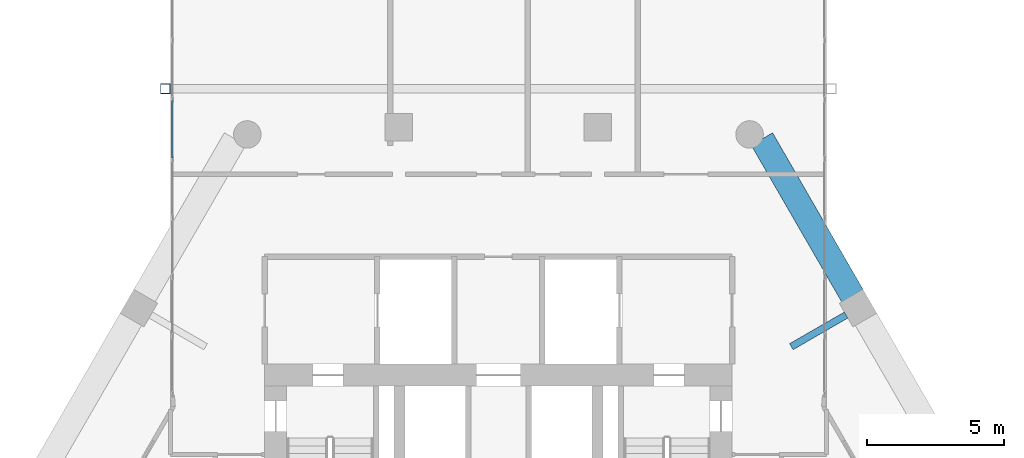
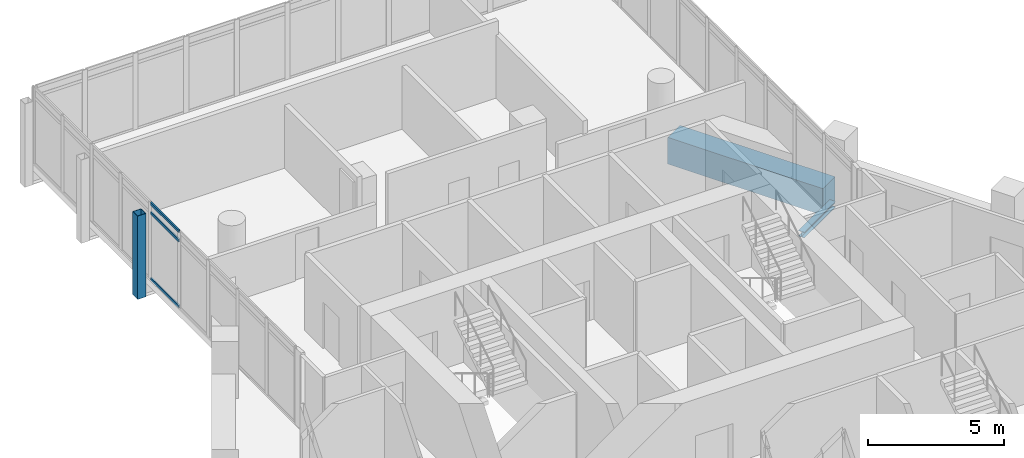
# One storey, part 14 of 29: 4 members, 2 beams, 1 element without a shape of its own.
"""IFC4 building model written with IfcOpenShell, lengths in metres."""

from ifc_helpers import new_model, si_unit, direction, frame, origin, origin_2d, place, context, subcontext, project, spatial, rectangle, hollow_rectangle, i_section, extrude, material, material_profile, profile_set, type_object, element, aggregate, save


model = new_model("IFC4")

# Units and contexts
model_context = context("Model", 3, precision=1e-05, world=origin(), true_north=direction((0.0, 1.0)))
body_context = subcontext(model_context, "Body", "Model", "MODEL_VIEW")
ifc_project = project(units=[si_unit("LENGTHUNIT", "METRE"), si_unit("AREAUNIT", "SQUARE_METRE"), si_unit("VOLUMEUNIT", "CUBIC_METRE"), si_unit("PLANEANGLEUNIT", "RADIAN"), si_unit("MASSUNIT", "GRAM", prefix="KILO")], contexts=[model_context])

# Site, building, storey
site_placement = place(None, origin())
site = spatial("IfcSite", under=ifc_project, at=site_placement, CompositionType="ELEMENT")
building_placement = place(site_placement, origin())
building = spatial("IfcBuilding", under=site, at=building_placement, Name="Ostrander Bayou Hotel Tower", CompositionType="ELEMENT")
storey_placement = place(building_placement, frame((0.0, 0.0, 202.0)))
storey = spatial("IfcBuildingStorey", under=building, at=storey_placement, Name="L50", CompositionType="ELEMENT", Elevation=202.0)

# Curtain wall, members
ifc_material_1 = material(Name="Aluminium and clear glass", Category="aluminium")
curtain_wall_type = type_object("IfcCurtainWallType", Name="CW-BAR glazed wall", PredefinedType="NOTDEFINED", material=ifc_material_1)
curtain_wall_placement = place(storey_placement, origin())
curtain_wall = element("IfcCurtainWall", 1, at=curtain_wall_placement, inside=storey, type_object=curtain_wall_type, Name="CW-BAR L50:SB4N:E", PredefinedType="NOTDEFINED")
ifc_material_2 = material(Name="Aluminium", Category="aluminium")
ifc_material_profile_1 = material_profile(ifc_material_2, hollow_rectangle(XDim=0.06005859375, YDim=0.1298828125, WallThickness=0.00390625, at=origin_2d()))
ifc_profile_set_1 = profile_set([ifc_material_profile_1], Name="Aluminium")
member_type_1 = type_object("IfcMemberType", Name="CW-BR transom 60 x 130 mm", PredefinedType="USERDEFINED", material=ifc_profile_set_1)
member_1_placement = place(storey_placement, frame((-11.857177734375, 17.195068359375, 0.030029296875), z_axis=(0.0, 1.0, 0.0), x_axis=(-1.0, 0.0, 0.0)))
member_1 = element("IfcMember", 2, at=member_1_placement, type_object=member_type_1, Name="CW-BAR transom 5.1", ObjectType="TRANSOM", PredefinedType="USERDEFINED", context=body_context, shape_type="SweptSolid", body=[
    extrude(hollow_rectangle(XDim=0.06005859375, YDim=0.1298828125, WallThickness=0.00390625, at=origin_2d()), origin(), (0.0, 0.0, 1.0), 2.09033203125),
])
member_2_placement = place(storey_placement, frame((-11.857177734375, 17.195068359375, 3.0), z_axis=(0.0, 1.0, 0.0), x_axis=(-1.0, 0.0, 0.0)))
member_2 = element("IfcMember", 3, at=member_2_placement, type_object=member_type_1, Name="CW-BAR transom 5.2", ObjectType="TRANSOM", PredefinedType="USERDEFINED", context=body_context, shape_type="SweptSolid", body=[
    extrude(hollow_rectangle(XDim=0.06005859375, YDim=0.1298828125, WallThickness=0.00390625, at=origin_2d()), origin(), (0.0, 0.0, 1.0), 2.09033203125),
])
member_3_placement = place(storey_placement, frame((-11.857177734375, 17.195068359375, 3.419921875), z_axis=(0.0, 1.0, 0.0), x_axis=(-1.0, 0.0, 0.0)))
member_3 = element("IfcMember", 4, at=member_3_placement, type_object=member_type_1, Name="CW-BAR transom 5.3", ObjectType="TRANSOM", PredefinedType="USERDEFINED", context=body_context, shape_type="SweptSolid", body=[
    extrude(hollow_rectangle(XDim=0.06005859375, YDim=0.1298828125, WallThickness=0.00390625, at=origin_2d()), origin(), (0.0, 0.0, 1.0), 2.09033203125),
])
aggregate(curtain_wall, [member_1, member_2, member_3])

# Beams
ifc_material_3 = material(Name="Steel ASTM A992", Category="steel")
ifc_material_profile_2 = material_profile(ifc_material_3, i_section(OverallWidth=0.25390625, OverallDepth=0.25341796875, WebThickness=0.008544921875, FlangeThickness=0.01416015625, at=origin_2d()))
ifc_profile_set_2 = profile_set([ifc_material_profile_2], Name="Steel ASTM A992")
beam_type_1 = type_object("IfcBeamType", Name="LB2 loggia bracket W10x49", PredefinedType="BEAM", material=ifc_profile_set_2)
beam_1_placement = place(storey_placement, frame((12.642578125, 11.476806640625, -0.4267578125), z_axis=(-0.866053019151, -0.499952165731, 0.0), x_axis=(0.499952165731, -0.866053019151, 0.0)))
element("IfcBeam", 5, at=beam_1_placement, inside=storey, type_object=beam_type_1, Name="LB2 L50 NE2", PredefinedType="BEAM", context=body_context, shape_type="SweptSolid", body=[
    extrude(i_section(OverallWidth=0.25390625, OverallDepth=0.25341796875, WebThickness=0.008544921875, FlangeThickness=0.01416015625, at=origin_2d()), origin(), (0.0, 0.0, 1.0), 2.300048828125),
])
ifc_material_4 = material(Name="Concrete f'c 60 MPa", Category="concrete")
ifc_material_profile_3 = material_profile(ifc_material_4, rectangle(XDim=0.89990234375, YDim=1.199951171875, at=origin_2d()))
ifc_profile_set_3 = profile_set([ifc_material_profile_3], Name="Concrete f'c 60 MPa")
beam_type_2 = type_object("IfcBeamType", Name="SP3 spandrel beam 900 x 1200 mm f'c 60 MPa", PredefinedType="SPANDREL", material=ifc_profile_set_3)
beam_2_placement = place(storey_placement, frame((12.8837890625, 12.158935546875, -0.60009765625), z_axis=(-0.499994358189, 0.866028661061, 0.0), x_axis=(-0.866028661061, -0.499994358189, 0.0)))
element("IfcBeam", 6, at=beam_2_placement, inside=storey, type_object=beam_type_2, Name="SP3 L50 NE-3", PredefinedType="SPANDREL", context=body_context, shape_type="SweptSolid", body=[
    extrude(rectangle(XDim=0.89990234375, YDim=1.199951171875, at=origin_2d()), origin(), (0.0, 0.0, 1.0), 6.6064453125),
])

# Member
ifc_material_5 = material(Name="Steel ASTM A500 Gr C", Category="steel")
ifc_material_profile_4 = material_profile(ifc_material_5, hollow_rectangle(XDim=0.355712890625, YDim=0.355712890625, WallThickness=0.0146484375, at=origin_2d()))
ifc_profile_set_4 = profile_set([ifc_material_profile_4], Name="Steel ASTM A500 Gr C")
member_type_2 = type_object("IfcMemberType", Name="TH1 bar hanger HSS14x14x5/8", PredefinedType="POST", material=ifc_profile_set_4)
member_4_placement = place(storey_placement, frame((-12.110107421875, 19.706787109375, -0.9111328125), z_axis=(0.0, 0.0, 1.0), x_axis=(1.0, 0.0, 0.0)))
element("IfcMember", 7, at=member_4_placement, inside=storey, type_object=member_type_2, Name="TH1 SB4WA H3-3", PredefinedType="POST", context=body_context, shape_type="SweptSolid", body=[
    extrude(hollow_rectangle(XDim=0.355712890625, YDim=0.355712890625, WallThickness=0.0146484375, at=origin_2d()), origin(), (0.0, 0.0, 1.0), 3.75),
])

save(model, "model.ifc")
